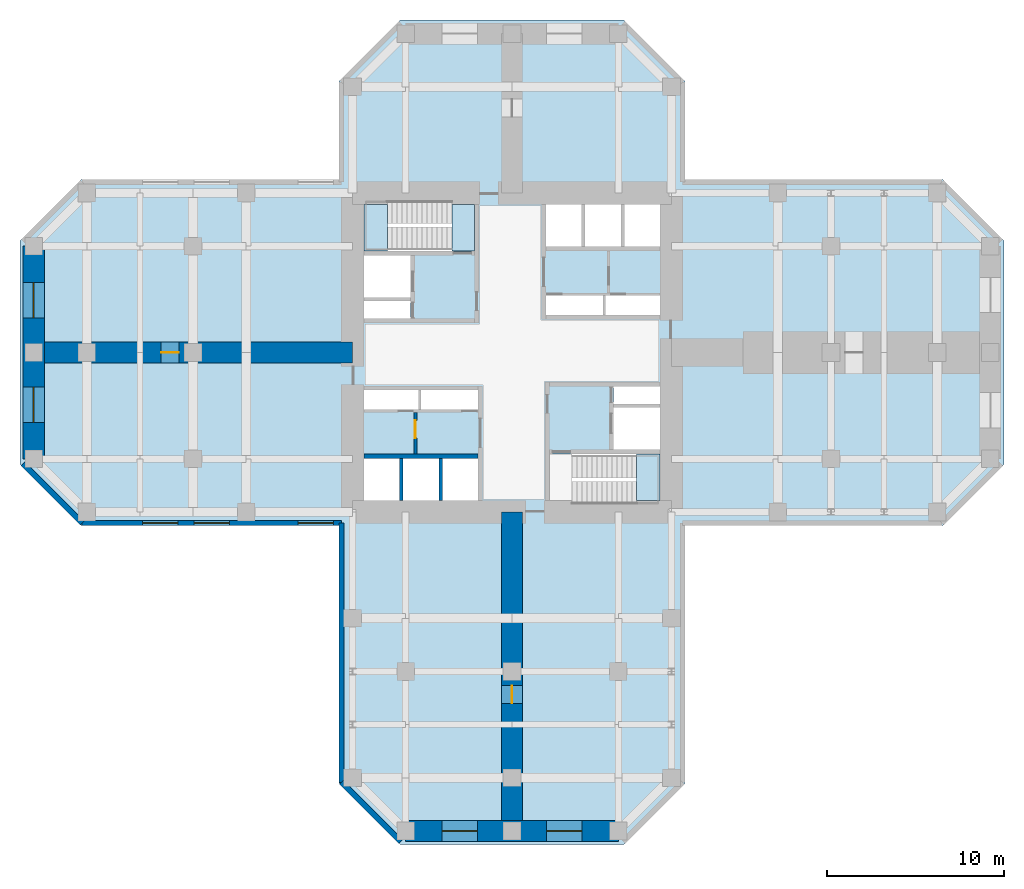
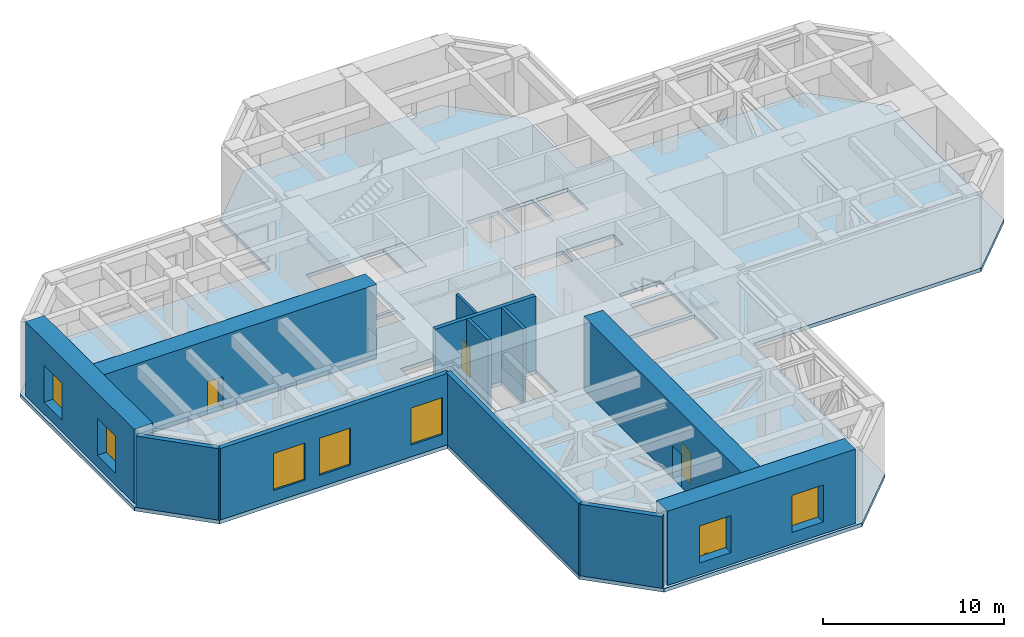
# One storey, part 5 of 8: 12 walls, 7 windows, 4 slabs, 3 doors, 10 openings, 2 elements without a shape of their own.
"""IFC4 building model written with IfcOpenShell, lengths in metres."""

import ifcopenshell
import ifcopenshell.guid

model = None  # the IFC model being written
_history = None  # IfcOwnerHistory: only IFC2X3 demands one
_inside = {}  # id of a spatial element -> (the spatial element, [elements in it])
_under = {}  # id of a project, library or spatial element -> (it, [spatial elements below it])
_declared = {}  # id of a project -> (the project, [libraries it declares])
_typed = {}  # id of a type object -> (the type object, [elements of that type])
_made_of = {}  # id of a material, layer set ... -> (it, [elements and type objects made of it])


def new_model(schema):
    """Start an empty IFC model of exactly this schema.

    Asked for "IFC4X3", IfcOpenShell would pick the latest addendum, in which some entities
    have other attributes; the version numbers below select the first issue.
    IFC2X3 requires an IfcOwnerHistory on every rooted entity: one is made here for all.
    """
    global model, _history
    if schema == "IFC4X3":
        model = ifcopenshell.file(schema_version=(4, 3, 0, 0))
    else:
        model = ifcopenshell.file(schema=schema)
    _inside.clear()
    _under.clear()
    _declared.clear()
    _typed.clear()
    _made_of.clear()
    _history = None
    if model.schema == "IFC2X3":
        org = make("IfcOrganization", Name="unknown")
        user = make(
            "IfcPersonAndOrganization",
            ThePerson=make("IfcPerson", FamilyName="unknown"),
            TheOrganization=org,
        )
        app = make(
            "IfcApplication",
            ApplicationDeveloper=org,
            Version="unknown",
            ApplicationFullName="unknown",
            ApplicationIdentifier="unknown",
        )
        _history = make(
            "IfcOwnerHistory",
            OwningUser=user,
            OwningApplication=app,
            ChangeAction="ADDED",
            CreationDate=0,
        )
    return model


def make(cls, **values):
    """One entity of the class cls with the attributes given. An attribute that is None is left unset."""
    return model.create_entity(
        cls, **{name: value for name, value in values.items() if value is not None}
    )


def rooted(cls, **values):
    """An entity with a GlobalId (a new one), such as an element, a storey or a relation."""
    return make(cls, GlobalId=ifcopenshell.guid.new(), OwnerHistory=_history, **values)


def si_unit(unit_type, name, prefix=None):
    """IfcSIUnit, for example si_unit("LENGTHUNIT", "METRE", prefix="MILLI")."""
    return make("IfcSIUnit", UnitType=unit_type, Prefix=prefix, Name=name)


def assignment(units):
    """IfcUnitAssignment: the units of a project."""
    return None if units is None else make("IfcUnitAssignment", Units=units)


def point(xyz):
    """IfcCartesianPoint."""
    return None if xyz is None else make("IfcCartesianPoint", Coordinates=xyz)


def direction(xyz):
    """IfcDirection."""
    return None if xyz is None else make("IfcDirection", DirectionRatios=xyz)


def frame(location, z_axis=None, x_axis=None):
    """IfcAxis2Placement3D, a coordinate frame: its origin and axes. An axis left out is left unset."""
    return make(
        "IfcAxis2Placement3D",
        Location=point(location),
        Axis=direction(z_axis),
        RefDirection=direction(x_axis),
    )


def frame_2d(location, x_axis=None):
    """IfcAxis2Placement2D, a coordinate frame in the plane: its origin and x axis."""
    return make(
        "IfcAxis2Placement2D", Location=point(location), RefDirection=direction(x_axis)
    )


def origin():
    """The frame at (0, 0, 0) with its axes left unset."""
    return frame((0.0, 0.0, 0.0))


def place(relative_to, where):
    """IfcLocalPlacement: puts the frame where relative to a parent placement (None: the world)."""
    return make(
        "IfcLocalPlacement", PlacementRelTo=relative_to, RelativePlacement=where
    )


def context(
    kind, dimensions, precision=None, world=None, true_north=None, identifier=None
):
    """IfcGeometricRepresentationContext, for example the 3D "Model" context."""
    return make(
        "IfcGeometricRepresentationContext",
        ContextIdentifier=identifier,
        ContextType=kind,
        CoordinateSpaceDimension=dimensions,
        Precision=precision,
        WorldCoordinateSystem=world,
        TrueNorth=true_north,
    )


def subcontext(parent, identifier, kind, view, scale=None):
    """IfcGeometricRepresentationSubContext, for example "Body" below "Model"."""
    return make(
        "IfcGeometricRepresentationSubContext",
        ContextIdentifier=identifier,
        ContextType=kind,
        ParentContext=parent,
        TargetScale=scale,
        TargetView=view,
    )


def project(units=None, contexts=None):
    """IfcProject with its units and contexts."""
    return rooted(
        "IfcProject",
        Name="project",
        RepresentationContexts=contexts,
        UnitsInContext=assignment(units),
    )


def spatial(cls, under=None, at=None, **own):
    """A site, building, storey or space (cls), placed at a placement, below another one or the project."""
    s = rooted(cls, ObjectPlacement=at, **own)
    if under is not None:
        _under.setdefault(under.id(), (under, []))[1].append(s)
    return s


def polyline(points):
    """IfcPolyline through the points."""
    return make("IfcPolyline", Points=[point(p) for p in points])


def profile(cls, at=None, kind="AREA", **sizes):
    """A parametric profile (cls). Its sizes go by their IFC names, for example OverallWidth=200.0."""
    return make(cls, ProfileType=kind, Position=at, **sizes)


def rectangle(**sizes):
    """IfcRectangleProfileDef."""
    return profile("IfcRectangleProfileDef", **sizes)


def hollow_rectangle(**sizes):
    """IfcRectangleHollowProfileDef."""
    return profile("IfcRectangleHollowProfileDef", **sizes)


def outline(outer, holes=None, kind="AREA"):
    """IfcArbitraryClosedProfileDef: a profile drawn as a closed curve; with holes, ...WithVoids."""
    if holes is None:
        return make("IfcArbitraryClosedProfileDef", ProfileType=kind, OuterCurve=outer)
    return make(
        "IfcArbitraryProfileDefWithVoids",
        ProfileType=kind,
        OuterCurve=outer,
        InnerCurves=holes,
    )


def extrude(swept, where, along, depth):
    """IfcExtrudedAreaSolid: the profile swept, set in the frame where, extruded along a direction by depth."""
    return make(
        "IfcExtrudedAreaSolid",
        SweptArea=swept,
        Position=where,
        ExtrudedDirection=direction(along),
        Depth=depth,
    )


def shape(context_of_items, identifier, shape_type, items):
    """IfcShapeRepresentation: the items that make up one representation, for example the "Body"."""
    return make(
        "IfcShapeRepresentation",
        ContextOfItems=context_of_items,
        RepresentationIdentifier=identifier,
        RepresentationType=shape_type,
        Items=items,
    )


def material(Name=None, Category=None):
    """IfcMaterial."""
    return make("IfcMaterial", Name=Name, Category=Category)


def layer(
    of_material, thickness, ventilated=None, Name=None, Category=None, Priority=None
):
    """IfcMaterialLayer: one layer of a wall or slab, of a material (None: an air gap)."""
    return make(
        "IfcMaterialLayer",
        Material=of_material,
        LayerThickness=thickness,
        IsVentilated=ventilated,
        Name=Name,
        Category=Category,
        Priority=Priority,
    )


def layer_set(layers, Name=None):
    """IfcMaterialLayerSet."""
    return make("IfcMaterialLayerSet", MaterialLayers=layers, LayerSetName=Name)


def constituent(of_material, Name=None, Category=None, fraction=None):
    """IfcMaterialConstituent: one of the materials an element consists of."""
    return make(
        "IfcMaterialConstituent",
        Name=Name,
        Material=of_material,
        Fraction=fraction,
        Category=Category,
    )


def constituent_set(constituents=None, Name=None):
    """IfcMaterialConstituentSet."""
    return make(
        "IfcMaterialConstituentSet", Name=Name, MaterialConstituents=constituents
    )


def made_of(thing, what):
    """Note that an element or type object is made of a material, layer set ...; save() writes the relation."""
    if what is not None:
        _made_of.setdefault(what.id(), (what, []))[1].append(thing)
    return thing


def type_object(cls, material=None, **own):
    """A type object (cls), such as IfcWallType, which elements share."""
    return made_of(rooted(cls, **own), material)


def element(
    cls,
    number,
    at=None,
    inside=None,
    cuts=None,
    type_object=None,
    material=None,
    context=None,
    identifier="Body",
    shape_type=None,
    held_by="IfcProductDefinitionShape",
    body=None,
    shapes=None,
    **own,
):
    """One element of the class cls, such as IfcWall. Its Tag is "e" and its number.

    at: its placement. inside: the storey or other place that contains it. cuts: it is an
    opening in that element (IfcRelVoidsElement). A single representation is given by context,
    identifier, shape_type and body (its items); several are given by shapes. held_by: the class
    of the entity that holds the representations. save() writes the other relations.
    """
    e = rooted(cls, Tag="e%d" % number, ObjectPlacement=at, **own)
    if body is not None:
        shapes = [shape(context, identifier, shape_type, body)]
    if shapes is not None:
        e.Representation = make(held_by, Representations=shapes)
    if inside is not None:
        _inside.setdefault(inside.id(), (inside, []))[1].append(e)
    if cuts is not None:
        rooted(
            "IfcRelVoidsElement", RelatingBuildingElement=cuts, RelatedOpeningElement=e
        )
    if type_object is not None:
        _typed.setdefault(type_object.id(), (type_object, []))[1].append(e)
    return made_of(e, material)


def fill(opening, filler):
    """IfcRelFillsElement: the door or window that sits in an opening."""
    return rooted(
        "IfcRelFillsElement",
        RelatingOpeningElement=opening,
        RelatedBuildingElement=filler,
    )


def aggregate(whole, parts):
    """IfcRelAggregates: a whole, such as a stair, and the parts it consists of."""
    return rooted("IfcRelAggregates", RelatingObject=whole, RelatedObjects=parts)


def save(model, path):
    """Write the relations noted so far, then the file.

    IfcRelAggregates (storeys below a building ...), IfcRelContainedInSpatialStructure (elements
    in a storey), IfcRelDefinesByType, IfcRelAssociatesMaterial and IfcRelDeclares: one each for
    every whole, place, type object, material and project.
    """
    for whole, parts in _under.values():
        aggregate(whole, parts)
    for where, things in _inside.values():
        rooted(
            "IfcRelContainedInSpatialStructure",
            RelatedElements=things,
            RelatingStructure=where,
        )
    for kind, things in _typed.values():
        rooted("IfcRelDefinesByType", RelatedObjects=things, RelatingType=kind)
    for what, things in _made_of.values():
        rooted("IfcRelAssociatesMaterial", RelatedObjects=things, RelatingMaterial=what)
    for by, libraries in _declared.values():
        rooted("IfcRelDeclares", RelatingContext=by, RelatedDefinitions=libraries)
    model.write(path)


model = new_model("IFC4")

# Units and contexts
model_context = context("Model", 3, precision=1e-05, world=origin(), true_north=direction((0.0, 1.0)))
body_context = subcontext(model_context, "Body", "Model", "MODEL_VIEW")
ifc_project = project(units=[si_unit("LENGTHUNIT", "METRE"), si_unit("AREAUNIT", "SQUARE_METRE"), si_unit("VOLUMEUNIT", "CUBIC_METRE"), si_unit("PLANEANGLEUNIT", "RADIAN"), si_unit("MASSUNIT", "GRAM", prefix="KILO")], contexts=[model_context])

# Site, building, storey
site_placement = place(None, origin())
site = spatial("IfcSite", under=ifc_project, at=site_placement, CompositionType="ELEMENT")
building_placement = place(site_placement, origin())
building = spatial("IfcBuilding", under=site, at=building_placement, Name="Torre Cruceta", CompositionType="ELEMENT")
storey_placement = place(building_placement, frame((0.0, 0.0, 164.5)))
storey = spatial("IfcBuildingStorey", under=building, at=storey_placement, Name="L40", CompositionType="ELEMENT", Elevation=164.5)

# Slab
ifc_material_1 = material(Name="Concrete G35 (fck 35 MPa)", Category="concrete")
ifc_layer_1 = layer(ifc_material_1, 0.25)
ifc_layer_set_1 = layer_set([ifc_layer_1], Name="Concrete G35 (fck 35 MPa)")
slab_type_1 = type_object("IfcSlabType", Name="FLOOR SLAB 250", PredefinedType="FLOOR", material=ifc_layer_set_1)
slab_1_placement = place(storey_placement, frame((0.0, 0.0, -0.25)))
element("IfcSlab", 1, at=slab_1_placement, inside=storey, type_object=slab_type_1, Name="Floor Slab L40", PredefinedType="FLOOR", context=body_context, shape_type="SweptSolid", body=[
    extrude(outline(polyline([(9.77001953125, -9.77001953125), (9.77001953125, -24.31884765625), (6.31884765625, -27.77001953125), (-6.31884765625, -27.77001953125), (-9.77001953125, -24.31884765625), (-9.77001953125, -9.77001953125), (-24.31884765625, -9.77001953125), (-27.77001953125, -6.31884765625), (-27.77001953125, 6.31884765625), (-24.31884765625, 9.77001953125), (-9.77001953125, 9.77001953125), (-9.77001953125, 15.31884765625), (-6.31884765625, 18.77001953125), (6.31884765625, 18.77001953125), (9.77001953125, 15.31884765625), (9.77001953125, 9.77001953125), (24.31884765625, 9.77001953125), (27.77001953125, 6.31884765625), (27.77001953125, -6.31884765625), (24.31884765625, -9.77001953125), (9.77001953125, -9.77001953125)]), holes=[polyline([(1.925048828125, 5.97509765625), (3.933349609375, 5.97509765625), (3.933349609375, 8.35009765625), (1.925048828125, 8.35009765625), (1.925048828125, 5.97509765625)]), polyline([(4.13330078125, 5.97509765625), (6.1416015625, 5.97509765625), (6.1416015625, 8.35009765625), (4.13330078125, 8.35009765625), (4.13330078125, 5.97509765625)]), polyline([(6.341552734375, 5.97509765625), (8.35009765625, 5.97509765625), (8.35009765625, 8.35009765625), (6.341552734375, 8.35009765625), (6.341552734375, 5.97509765625)]), polyline([(1.925048828125, 2.125), (5.125, 2.125), (5.125, 3.22509765625), (1.925048828125, 3.22509765625), (1.925048828125, 2.125)]), polyline([(5.27490234375, 2.125), (8.35009765625, 2.125), (8.35009765625, 3.22509765625), (5.27490234375, 3.22509765625), (5.27490234375, 2.125)]), polyline([(-8.35009765625, 3.10009765625), (-5.72509765625, 3.10009765625), (-5.72509765625, 5.47509765625), (-8.35009765625, 5.47509765625), (-8.35009765625, 3.10009765625)]), polyline([(-8.35009765625, 1.925048828125), (-5.72509765625, 1.925048828125), (-5.72509765625, 2.89990234375), (-8.35009765625, 2.89990234375), (-8.35009765625, 1.925048828125)]), polyline([(-3.933349609375, -8.35009765625), (-1.925048828125, -8.35009765625), (-1.925048828125, -5.97509765625), (-3.933349609375, -5.97509765625), (-3.933349609375, -8.35009765625)]), polyline([(-6.1416015625, -8.35009765625), (-4.13330078125, -8.35009765625), (-4.13330078125, -5.97509765625), (-6.1416015625, -5.97509765625), (-6.1416015625, -8.35009765625)]), polyline([(-8.35009765625, -8.35009765625), (-6.341552734375, -8.35009765625), (-6.341552734375, -5.97509765625), (-8.35009765625, -5.97509765625), (-8.35009765625, -8.35009765625)]), polyline([(-5.125, -3.22509765625), (-1.925048828125, -3.22509765625), (-1.925048828125, -2.125), (-5.125, -2.125), (-5.125, -3.22509765625)]), polyline([(-8.35009765625, -3.22509765625), (-5.27490234375, -3.22509765625), (-5.27490234375, -2.125), (-8.35009765625, -2.125), (-8.35009765625, -3.22509765625)]), polyline([(5.72509765625, -5.47509765625), (8.35009765625, -5.47509765625), (8.35009765625, -3.10009765625), (5.72509765625, -3.10009765625), (5.72509765625, -5.47509765625)]), polyline([(5.72509765625, -2.89990234375), (8.35009765625, -2.89990234375), (8.35009765625, -1.925048828125), (5.72509765625, -1.925048828125), (5.72509765625, -2.89990234375)]), polyline([(-8.35009765625, 5.72509765625), (-8.35009765625, 8.35009765625), (-3.39990234375, 8.35009765625), (-2.125, 8.35009765625), (-2.125, 5.72509765625), (-3.39990234375, 5.72509765625), (-8.35009765625, 5.72509765625)]), polyline([(2.125, -5.72509765625), (3.39990234375, -5.72509765625), (8.35009765625, -5.72509765625), (8.35009765625, -8.35009765625), (3.39990234375, -8.35009765625), (2.125, -8.35009765625), (2.125, -5.72509765625)])]), origin(), (0.0, 0.0, 1.0), 0.25),
])

# Stair, slab
ifc_material_2 = material(Name="Concrete G30 (fck 30 MPa)", Category="concrete")
stair_type = type_object("IfcStairType", Name="STAIR HALF-TURN 1300", PredefinedType="HALF_TURN_STAIR", material=ifc_material_2)
stair_1_placement = place(storey_placement, origin())
stair_1 = element("IfcStair", 2, at=stair_1_placement, inside=storey, type_object=stair_type, Name="Stair ST1 L40", PredefinedType="HALF_TURN_STAIR")
ifc_material_3 = material(Name="Concrete G30 (fck 30 MPa)", Category="concrete")
ifc_layer_2 = layer(ifc_material_3, 0.199951171875)
ifc_layer_set_2 = layer_set([ifc_layer_2], Name="Concrete G30 (fck 30 MPa)")
slab_type_2 = type_object("IfcSlabType", Name="STAIR LANDING 200", PredefinedType="LANDING", material=ifc_layer_set_2)
slab_2_placement = place(storey_placement, frame((0.0, 0.0, 2.300048828125)))
slab_2 = element("IfcSlab", 3, at=slab_2_placement, type_object=slab_type_2, Name="ST1 landing 1", PredefinedType="LANDING", context=body_context, shape_type="SweptSolid", body=[
    extrude(outline(polyline([(-8.35009765625, 5.72509765625), (-7.0400390625, 5.72509765625), (-7.0400390625, 8.35009765625), (-8.35009765625, 8.35009765625), (-8.35009765625, 5.72509765625)])), origin(), (0.0, 0.0, 1.0), 0.199951171875),
])
aggregate(stair_1, [slab_2])

stair_2_placement = place(storey_placement, origin())
stair_2 = element("IfcStair", 4, at=stair_2_placement, inside=storey, type_object=stair_type, Name="Stair ST2 L40", PredefinedType="HALF_TURN_STAIR")
slab_3_placement = place(storey_placement, frame((0.0, 0.0, 2.300048828125)))
slab_3 = element("IfcSlab", 5, at=slab_3_placement, type_object=slab_type_2, Name="ST2 landing 1", PredefinedType="LANDING", context=body_context, shape_type="SweptSolid", body=[
    extrude(outline(polyline([(7.0400390625, -8.35009765625), (8.35009765625, -8.35009765625), (8.35009765625, -5.72509765625), (7.0400390625, -5.72509765625), (7.0400390625, -8.35009765625)])), origin(), (0.0, 0.0, 1.0), 0.199951171875),
])
aggregate(stair_2, [slab_3])

# Slab
slab_4_placement = place(storey_placement, frame((0.0, 0.0, -0.199951171875)))
element("IfcSlab", 6, at=slab_4_placement, inside=storey, type_object=slab_type_2, Name="Stair ST1 floor landing L40", PredefinedType="LANDING", context=body_context, shape_type="SweptSolid", body=[
    extrude(outline(polyline([(-2.125, 8.35009765625), (-2.125, 5.72509765625), (-3.39990234375, 5.72509765625), (-3.39990234375, 8.35009765625), (-2.125, 8.35009765625)])), origin(), (0.0, 0.0, 1.0), 0.199951171875),
])

# Walls
ifc_material_4 = material(Name="Concrete G60 (fck 60 MPa)", Category="concrete")
ifc_layer_3 = layer(ifc_material_4, 0.25)
ifc_layer_set_3 = layer_set([ifc_layer_3], Name="Concrete G60 (fck 60 MPa)")
wall_type_1 = type_object("IfcWallType", Name="CORE INNER WALL 250 G60", PredefinedType="SHEAR", material=ifc_layer_set_3)
wall_1_placement = place(storey_placement, frame((-1.925048828125, -5.85009765625, 0.0), z_axis=(0.0, 0.0, 1.0), x_axis=(-1.0, 0.0, 0.0)))
element("IfcWall", 7, at=wall_1_placement, inside=storey, type_object=wall_type_1, Name="CW4 L40 SW-LV", PredefinedType="SHEAR", context=body_context, shape_type="SweptSolid", body=[
    extrude(rectangle(XDim=6.425048828125, YDim=0.25, at=frame_2d((3.21240234375, 0.0))), origin(), (0.0, 0.0, 1.0), 5.0),
])
ifc_material_5 = material(Name="Concrete G30 (fck 30 MPa)", Category="concrete")
ifc_layer_4 = layer(ifc_material_5, 0.300048828125)
ifc_layer_set_4 = layer_set([ifc_layer_4], Name="Concrete G30 (fck 30 MPa)")
wall_type_2 = type_object("IfcWallType", Name="EXPOSED CONCRETE FACADE WALL 300", PredefinedType="SOLIDWALL", material=ifc_layer_set_4)
wall_2_placement = place(storey_placement, frame((-27.60009765625, -6.27685546875, 0.0), z_axis=(0.0, 0.0, 1.0), x_axis=(0.707106781187, -0.707106781187, 0.0)))
element("IfcWall", 8, at=wall_2_placement, inside=storey, type_object=wall_type_2, Name="EW1 facade wall L40 W chamfer 13", PredefinedType="SOLIDWALL", context=body_context, shape_type="SweptSolid", body=[
    extrude(rectangle(XDim=4.72802734375, YDim=0.300048828125, at=frame_2d((2.364013671875, 0.0))), origin(), (0.0, 0.0, 1.0), 4.820068359375),
])

# Wall, openings, windows
wall_3_placement = place(storey_placement, frame((-24.2568359375, -9.6201171875, 0.0), z_axis=(0.0, 0.0, 1.0), x_axis=(1.0, 0.0, 0.0)))
wall_3 = element("IfcWall", 9, at=wall_3_placement, inside=storey, type_object=wall_type_2, Name="EW1 facade wall L40 W side 14", PredefinedType="SOLIDWALL", context=body_context, shape_type="SweptSolid", body=[
    extrude(rectangle(XDim=14.63671875, YDim=0.300048828125, at=frame_2d((7.318359375, 0.0))), origin(), (0.0, 0.0, 1.0), 4.820068359375),
])
opening_1_placement = place(wall_3_placement, frame((3.39111328125, 0.0, 0.800048828125)))
opening_1 = element("IfcOpeningElement", 10, at=opening_1_placement, cuts=wall_3, Name="Opening WN3", PredefinedType="OPENING", context=body_context, shape_type="SweptSolid", body=[
    extrude(rectangle(XDim=2.0, YDim=2.5, at=frame_2d((1.0, 1.25))), frame((0.0, 0.159912109375, 0.0), z_axis=(0.0, -1.0, 0.0), x_axis=(1.0, 0.0, 0.0)), (0.0, 0.0, 1.0), 0.320068359375),
])
opening_2_placement = place(wall_3_placement, frame((6.318359375, 0.0, 0.800048828125)))
opening_2 = element("IfcOpeningElement", 11, at=opening_2_placement, cuts=wall_3, Name="Opening WN3", PredefinedType="OPENING", context=body_context, shape_type="SweptSolid", body=[
    extrude(rectangle(XDim=2.0, YDim=2.5, at=frame_2d((1.0, 1.25))), frame((0.0, 0.159912109375, 0.0), z_axis=(0.0, -1.0, 0.0), x_axis=(1.0, 0.0, 0.0)), (0.0, 0.0, 1.0), 0.320068359375),
])
opening_3_placement = place(wall_3_placement, frame((12.173095703125, 0.0, 0.800048828125)))
opening_3 = element("IfcOpeningElement", 12, at=opening_3_placement, cuts=wall_3, Name="Opening WN3", PredefinedType="OPENING", context=body_context, shape_type="SweptSolid", body=[
    extrude(rectangle(XDim=2.0, YDim=2.5, at=frame_2d((1.0, 1.25))), frame((0.0, 0.159912109375, 0.0), z_axis=(0.0, -1.0, 0.0), x_axis=(1.0, 0.0, 0.0)), (0.0, 0.0, 1.0), 0.320068359375),
])
ifc_material_6 = material(Name="Aluminium window frame", Category="aluminium")
ifc_constituent_1 = constituent(ifc_material_6, Name="Frame")
ifc_material_7 = material(Name="Laminated insulating glass unit, low-iron clear", Category="glass")
ifc_constituent_2 = constituent(ifc_material_7, Name="Glazing")
ifc_constituent_set_1 = constituent_set(constituents=[ifc_constituent_1, ifc_constituent_2], Name="Aluminium window")
window_type = type_object("IfcWindowType", Name="PLANT LOUVRE 2000X2500", PartitioningType="SINGLE_PANEL", PredefinedType="WINDOW", material=ifc_constituent_set_1)
window_1_placement = place(opening_1_placement, origin())
window_1 = element("IfcWindow", 13, at=window_1_placement, inside=storey, type_object=window_type, Name="WN3 L40 W 2", OverallHeight=2.5, OverallWidth=2.0, PartitioningType="SINGLE_PANEL", PredefinedType="WINDOW", context=body_context, shape_type="SweptSolid", body=[
    extrude(hollow_rectangle(XDim=2.0, YDim=2.5, WallThickness=0.06005859375, at=frame_2d((1.0, 1.25))), frame((0.0, 0.030029296875, 0.0), z_axis=(0.0, -1.0, 0.0), x_axis=(1.0, 0.0, 0.0)), (0.0, 0.0, 1.0), 0.06005859375),
    extrude(rectangle(XDim=1.87890625, YDim=2.37890625, at=frame_2d((1.0, 1.25))), frame((0.0, 0.030029296875, 0.0), z_axis=(0.0, -1.0, 0.0), x_axis=(1.0, 0.0, 0.0)), (0.0, 0.0, 1.0), 0.06005859375),
])
fill(opening_1, window_1)
window_2_placement = place(opening_2_placement, origin())
window_2 = element("IfcWindow", 14, at=window_2_placement, inside=storey, type_object=window_type, Name="WN3 L40 W 3", OverallHeight=2.5, OverallWidth=2.0, PartitioningType="SINGLE_PANEL", PredefinedType="WINDOW", context=body_context, shape_type="SweptSolid", body=[
    extrude(hollow_rectangle(XDim=2.0, YDim=2.5, WallThickness=0.06005859375, at=frame_2d((1.0, 1.25))), frame((0.0, 0.030029296875, 0.0), z_axis=(0.0, -1.0, 0.0), x_axis=(1.0, 0.0, 0.0)), (0.0, 0.0, 1.0), 0.06005859375),
    extrude(rectangle(XDim=1.87890625, YDim=2.37890625, at=frame_2d((1.0, 1.25))), frame((0.0, 0.030029296875, 0.0), z_axis=(0.0, -1.0, 0.0), x_axis=(1.0, 0.0, 0.0)), (0.0, 0.0, 1.0), 0.06005859375),
])
fill(opening_2, window_2)
window_3_placement = place(opening_3_placement, origin())
window_3 = element("IfcWindow", 15, at=window_3_placement, inside=storey, type_object=window_type, Name="WN3 L40 W 5", OverallHeight=2.5, OverallWidth=2.0, PartitioningType="SINGLE_PANEL", PredefinedType="WINDOW", context=body_context, shape_type="SweptSolid", body=[
    extrude(hollow_rectangle(XDim=2.0, YDim=2.5, WallThickness=0.06005859375, at=frame_2d((1.0, 1.25))), frame((0.0, 0.030029296875, 0.0), z_axis=(0.0, -1.0, 0.0), x_axis=(1.0, 0.0, 0.0)), (0.0, 0.0, 1.0), 0.06005859375),
    extrude(rectangle(XDim=1.87890625, YDim=2.37890625, at=frame_2d((1.0, 1.25))), frame((0.0, 0.030029296875, 0.0), z_axis=(0.0, -1.0, 0.0), x_axis=(1.0, 0.0, 0.0)), (0.0, 0.0, 1.0), 0.06005859375),
])
fill(opening_3, window_3)

# Walls
wall_4_placement = place(storey_placement, frame((-9.6201171875, -9.6201171875, 0.0), z_axis=(0.0, 0.0, 1.0), x_axis=(0.0, -1.0, 0.0)))
element("IfcWall", 16, at=wall_4_placement, inside=storey, type_object=wall_type_2, Name="EW1 facade wall L40 S side 15", PredefinedType="SOLIDWALL", context=body_context, shape_type="SweptSolid", body=[
    extrude(rectangle(XDim=14.63671875, YDim=0.300048828125, at=frame_2d((7.318359375, 0.0))), origin(), (0.0, 0.0, 1.0), 4.820068359375),
])
wall_5_placement = place(storey_placement, frame((-9.6201171875, -24.2568359375, 0.0), z_axis=(0.0, 0.0, 1.0), x_axis=(0.707106781187, -0.707106781187, 0.0)))
element("IfcWall", 17, at=wall_5_placement, inside=storey, type_object=wall_type_2, Name="EW1 facade wall L40 S chamfer 16", PredefinedType="SOLIDWALL", context=body_context, shape_type="SweptSolid", body=[
    extrude(rectangle(XDim=4.72802734375, YDim=0.300048828125, at=frame_2d((2.364013671875, 0.0))), origin(), (0.0, 0.0, 1.0), 4.820068359375),
])
ifc_material_8 = material(Name="Concrete G35 (fck 35 MPa)", Category="concrete")
ifc_layer_5 = layer(ifc_material_8, 0.199951171875)
ifc_layer_set_5 = layer_set([ifc_layer_5], Name="Concrete G35 (fck 35 MPa)")
wall_type_3 = type_object("IfcWallType", Name="LIFT SHAFT WALL 200", PredefinedType="PARTITIONING", material=ifc_layer_set_5)
for number, where, z_axis, x_axis, name in (
    (18, (-4.033447265625, -5.97509765625, 0.0), (0.0, 0.0, 1.0), (0.0, -1.0, 0.0), "SW1 L40 SW-LS1"),
    (19, (-6.24169921875, -5.97509765625, 0.0), (0.0, 0.0, 1.0), (0.0, -1.0, 0.0), "SW1 L40 SW-LS2"),
):
    element("IfcWall", number, at=place(storey_placement, frame(where, z_axis=z_axis, x_axis=x_axis)), inside=storey, type_object=wall_type_3, Name=name, PredefinedType="PARTITIONING", context=body_context, shape_type="SweptSolid", body=[
        extrude(rectangle(XDim=2.375, YDim=0.199951171875, at=frame_2d((1.1875, 0.0))), origin(), (0.0, 0.0, 1.0), 5.0),
    ])

# Wall, openings, windows
ifc_material_9 = material(Name="Concrete G60 (fck 60 MPa)", Category="concrete")
ifc_layer_6 = layer(ifc_material_9, 1.199951171875)
ifc_layer_set_6 = layer_set([ifc_layer_6], Name="Concrete G60 (fck 60 MPa)")
wall_type_4 = type_object("IfcWallType", Name="NOSE WALL 1200 G60", PredefinedType="SHEAR", material=ifc_layer_set_6)
wall_6_placement = place(storey_placement, frame((-6.0, -27.0, 0.0), z_axis=(0.0, 0.0, 1.0), x_axis=(1.0, 0.0, 0.0)))
wall_6 = element("IfcWall", 20, at=wall_6_placement, inside=storey, type_object=wall_type_4, Name="NW1 nose wall L40 S", PredefinedType="SHEAR", context=body_context, shape_type="SweptSolid", body=[
    extrude(rectangle(XDim=12.0, YDim=1.199951171875, at=frame_2d((6.0, 0.0))), origin(), (0.0, 0.0, 1.0), 5.0),
])
opening_4_placement = place(wall_6_placement, frame((2.050048828125, 0.0, 0.800048828125)))
opening_4 = element("IfcOpeningElement", 21, at=opening_4_placement, cuts=wall_6, Name="Opening WN3", PredefinedType="OPENING", context=body_context, shape_type="SweptSolid", body=[
    extrude(rectangle(XDim=2.0, YDim=2.5, at=frame_2d((1.0, 1.25))), frame((0.0, 0.60986328125, 0.0), z_axis=(0.0, -1.0, 0.0), x_axis=(1.0, 0.0, 0.0)), (0.0, 0.0, 1.0), 1.219970703125),
])
opening_5_placement = place(wall_6_placement, frame((7.949951171875, 0.0, 0.800048828125)))
opening_5 = element("IfcOpeningElement", 22, at=opening_5_placement, cuts=wall_6, Name="Opening WN3", PredefinedType="OPENING", context=body_context, shape_type="SweptSolid", body=[
    extrude(rectangle(XDim=2.0, YDim=2.5, at=frame_2d((1.0, 1.25))), frame((0.0, 0.60986328125, 0.0), z_axis=(0.0, -1.0, 0.0), x_axis=(1.0, 0.0, 0.0)), (0.0, 0.0, 1.0), 1.219970703125),
])
window_4_placement = place(opening_4_placement, origin())
window_4 = element("IfcWindow", 23, at=window_4_placement, inside=storey, type_object=window_type, Name="WN3 L40 S 1", OverallHeight=2.5, OverallWidth=2.0, PartitioningType="SINGLE_PANEL", PredefinedType="WINDOW", context=body_context, shape_type="SweptSolid", body=[
    extrude(hollow_rectangle(XDim=2.0, YDim=2.5, WallThickness=0.06005859375, at=frame_2d((1.0, 1.25))), frame((0.0, 0.030029296875, 0.0), z_axis=(0.0, -1.0, 0.0), x_axis=(1.0, 0.0, 0.0)), (0.0, 0.0, 1.0), 0.06005859375),
    extrude(rectangle(XDim=1.87890625, YDim=2.37890625, at=frame_2d((1.0, 1.25))), frame((0.0, 0.030029296875, 0.0), z_axis=(0.0, -1.0, 0.0), x_axis=(1.0, 0.0, 0.0)), (0.0, 0.0, 1.0), 0.06005859375),
])
fill(opening_4, window_4)
window_5_placement = place(opening_5_placement, origin())
window_5 = element("IfcWindow", 24, at=window_5_placement, inside=storey, type_object=window_type, Name="WN3 L40 S 2", OverallHeight=2.5, OverallWidth=2.0, PartitioningType="SINGLE_PANEL", PredefinedType="WINDOW", context=body_context, shape_type="SweptSolid", body=[
    extrude(hollow_rectangle(XDim=2.0, YDim=2.5, WallThickness=0.06005859375, at=frame_2d((1.0, 1.25))), frame((0.0, 0.030029296875, 0.0), z_axis=(0.0, -1.0, 0.0), x_axis=(1.0, 0.0, 0.0)), (0.0, 0.0, 1.0), 0.06005859375),
    extrude(rectangle(XDim=1.87890625, YDim=2.37890625, at=frame_2d((1.0, 1.25))), frame((0.0, 0.030029296875, 0.0), z_axis=(0.0, -1.0, 0.0), x_axis=(1.0, 0.0, 0.0)), (0.0, 0.0, 1.0), 0.06005859375),
])
fill(opening_5, window_5)

wall_7_placement = place(storey_placement, frame((-27.0, 6.0, 0.0), z_axis=(0.0, 0.0, 1.0), x_axis=(0.0, -1.0, 0.0)))
wall_7 = element("IfcWall", 25, at=wall_7_placement, inside=storey, type_object=wall_type_4, Name="NW1 nose wall L40 W", PredefinedType="SHEAR", context=body_context, shape_type="SweptSolid", body=[
    extrude(rectangle(XDim=12.0, YDim=1.199951171875, at=frame_2d((6.0, 0.0))), origin(), (0.0, 0.0, 1.0), 5.0),
])
opening_6_placement = place(wall_7_placement, frame((2.050048828125, 0.0, 0.800048828125)))
opening_6 = element("IfcOpeningElement", 26, at=opening_6_placement, cuts=wall_7, Name="Opening WN3", PredefinedType="OPENING", context=body_context, shape_type="SweptSolid", body=[
    extrude(rectangle(XDim=2.0, YDim=2.5, at=frame_2d((1.0, 1.25))), frame((0.0, 0.60986328125, 0.0), z_axis=(0.0, -1.0, 0.0), x_axis=(1.0, 0.0, 0.0)), (0.0, 0.0, 1.0), 1.219970703125),
])
opening_7_placement = place(wall_7_placement, frame((7.949951171875, 0.0, 0.800048828125)))
opening_7 = element("IfcOpeningElement", 27, at=opening_7_placement, cuts=wall_7, Name="Opening WN3", PredefinedType="OPENING", context=body_context, shape_type="SweptSolid", body=[
    extrude(rectangle(XDim=2.0, YDim=2.5, at=frame_2d((1.0, 1.25))), frame((0.0, 0.60986328125, 0.0), z_axis=(0.0, -1.0, 0.0), x_axis=(1.0, 0.0, 0.0)), (0.0, 0.0, 1.0), 1.219970703125),
])
window_6_placement = place(opening_6_placement, origin())
window_6 = element("IfcWindow", 28, at=window_6_placement, inside=storey, type_object=window_type, Name="WN3 L40 W 1", OverallHeight=2.5, OverallWidth=2.0, PartitioningType="SINGLE_PANEL", PredefinedType="WINDOW", context=body_context, shape_type="SweptSolid", body=[
    extrude(hollow_rectangle(XDim=2.0, YDim=2.5, WallThickness=0.06005859375, at=frame_2d((1.0, 1.25))), frame((0.0, 0.030029296875, 0.0), z_axis=(0.0, -1.0, 0.0), x_axis=(1.0, 0.0, 0.0)), (0.0, 0.0, 1.0), 0.06005859375),
    extrude(rectangle(XDim=1.87890625, YDim=2.37890625, at=frame_2d((1.0, 1.25))), frame((0.0, 0.030029296875, 0.0), z_axis=(0.0, -1.0, 0.0), x_axis=(1.0, 0.0, 0.0)), (0.0, 0.0, 1.0), 0.06005859375),
])
fill(opening_6, window_6)
window_7_placement = place(opening_7_placement, origin())
window_7 = element("IfcWindow", 29, at=window_7_placement, inside=storey, type_object=window_type, Name="WN3 L40 W 2", OverallHeight=2.5, OverallWidth=2.0, PartitioningType="SINGLE_PANEL", PredefinedType="WINDOW", context=body_context, shape_type="SweptSolid", body=[
    extrude(hollow_rectangle(XDim=2.0, YDim=2.5, WallThickness=0.06005859375, at=frame_2d((1.0, 1.25))), frame((0.0, 0.030029296875, 0.0), z_axis=(0.0, -1.0, 0.0), x_axis=(1.0, 0.0, 0.0)), (0.0, 0.0, 1.0), 0.06005859375),
    extrude(rectangle(XDim=1.87890625, YDim=2.37890625, at=frame_2d((1.0, 1.25))), frame((0.0, 0.030029296875, 0.0), z_axis=(0.0, -1.0, 0.0), x_axis=(1.0, 0.0, 0.0)), (0.0, 0.0, 1.0), 0.06005859375),
])
fill(opening_7, window_7)

# Wall, opening, door
ifc_material_10 = material(Name="Plasterboard on steel studs", Category="steel")
ifc_layer_7 = layer(ifc_material_10, 0.14990234375)
ifc_layer_set_7 = layer_set([ifc_layer_7], Name="Plasterboard on steel studs")
wall_type_5 = type_object("IfcWallType", Name="PARTITION 150", PredefinedType="PARTITIONING", material=ifc_layer_set_7)
wall_8_placement = place(storey_placement, frame((-5.449951171875, -3.375, 0.0), z_axis=(0.0, 0.0, 1.0), x_axis=(0.0, -1.0, 0.0)))
wall_8 = element("IfcWall", 30, at=wall_8_placement, inside=storey, type_object=wall_type_5, Name="PT1 L40-CORE-SW-X", PredefinedType="PARTITIONING", context=body_context, shape_type="SweptSolid", body=[
    extrude(rectangle(XDim=2.35009765625, YDim=0.14990234375, at=frame_2d((1.175048828125, 0.0))), origin(), (0.0, 0.0, 1.0), 4.820068359375),
])
opening_8_placement = place(wall_8_placement, frame((0.449951171875, 0.0, 0.0)))
opening_8 = element("IfcOpeningElement", 31, at=opening_8_placement, cuts=wall_8, Name="Opening D3", PredefinedType="OPENING", context=body_context, shape_type="SweptSolid", body=[
    extrude(rectangle(XDim=1.0, YDim=2.10009765625, at=frame_2d((0.5, 1.050048828125))), frame((0.0, 0.0849609375, 0.0), z_axis=(0.0, -1.0, 0.0), x_axis=(1.0, 0.0, 0.0)), (0.0, 0.0, 1.0), 0.169921875),
])
ifc_material_11 = material(Name="Steel DX51D", Category="steel")
ifc_constituent_3 = constituent(ifc_material_11, Name="Leaf and frame")
ifc_material_12 = material(Name="Polyester powder coating", Category="paint")
ifc_constituent_4 = constituent(ifc_material_12, Name="Finish")
ifc_constituent_set_2 = constituent_set(constituents=[ifc_constituent_3, ifc_constituent_4], Name="Steel fire door")
door_type_1 = type_object("IfcDoorType", Name="FIRE DOOR 1000X2100", OperationType="SINGLE_SWING_LEFT", PredefinedType="DOOR", material=ifc_constituent_set_2)
door_1_placement = place(opening_8_placement, frame((1.0, 0.0, 0.0), z_axis=(0.0, 0.0, 1.0), x_axis=(-1.0, 0.0, 0.0)))
door_1 = element("IfcDoor", 32, at=door_1_placement, inside=storey, type_object=door_type_1, Name="D3 L40-CORE-SW-X-D1", OperationType="SINGLE_SWING_RIGHT", OverallHeight=2.10009765625, OverallWidth=1.0, PredefinedType="DOOR", context=body_context, shape_type="SweptSolid", body=[
    extrude(rectangle(XDim=1.0, YDim=2.10009765625, at=frame_2d((0.5, 1.050048828125))), frame((0.0, 0.025146484375, 0.0), z_axis=(0.0, -1.0, 0.0), x_axis=(1.0, 0.0, 0.0)), (0.0, 0.0, 1.0), 0.050048828125),
])
fill(opening_8, door_1)

ifc_material_13 = material(Name="Concrete G60 (fck 60 MPa)", Category="concrete")
ifc_layer_8 = layer(ifc_material_13, 1.199951171875)
ifc_layer_set_8 = layer_set([ifc_layer_8], Name="Concrete G60 (fck 60 MPa)")
wall_type_6 = type_object("IfcWallType", Name="SPINE WALL 1200 G60", PredefinedType="SHEAR", material=ifc_layer_set_8)
wall_9_placement = place(storey_placement, frame((0.0, -9.0, 0.0), z_axis=(0.0, 0.0, 1.0), x_axis=(0.0, -1.0, 0.0)))
wall_9 = element("IfcWall", 33, at=wall_9_placement, inside=storey, type_object=wall_type_6, Name="SW3 spine wall L40 S", PredefinedType="SHEAR", context=body_context, shape_type="SweptSolid", body=[
    extrude(rectangle(XDim=18.0, YDim=1.199951171875, at=frame_2d((9.0, 0.0))), origin(), (0.0, 0.0, 1.0), 5.0),
])
opening_9_placement = place(wall_9_placement, frame((9.800048828125, 0.0, 0.0)))
opening_9 = element("IfcOpeningElement", 34, at=opening_9_placement, cuts=wall_9, Name="Opening D14", PredefinedType="OPENING", context=body_context, shape_type="SweptSolid", body=[
    extrude(rectangle(XDim=1.0, YDim=2.199951171875, at=frame_2d((0.5, 1.10009765625))), frame((0.0, 0.60986328125, 0.0), z_axis=(0.0, -1.0, 0.0), x_axis=(1.0, 0.0, 0.0)), (0.0, 0.0, 1.0), 1.219970703125),
])
ifc_material_14 = material(Name="Steel DX51D", Category="steel")
ifc_constituent_5 = constituent(ifc_material_14, Name="Leaf and frame")
ifc_material_15 = material(Name="Polyester powder coating", Category="paint")
ifc_constituent_6 = constituent(ifc_material_15, Name="Finish")
ifc_material_16 = material(Name="Fire-resisting glass", Category="glass")
ifc_constituent_7 = constituent(ifc_material_16, Name="Vision panel")
ifc_constituent_set_3 = constituent_set(constituents=[ifc_constituent_5, ifc_constituent_6, ifc_constituent_7], Name="Steel fire door with vision panel")
door_type_2 = type_object("IfcDoorType", Name="FIRE DOOR VISION PANEL 1000X2200", OperationType="SINGLE_SWING_RIGHT", PredefinedType="DOOR", material=ifc_constituent_set_3)
door_2_placement = place(opening_9_placement, frame((1.0, 0.0, 0.0), z_axis=(0.0, 0.0, 1.0), x_axis=(-1.0, 0.0, 0.0)))
door_2 = element("IfcDoor", 35, at=door_2_placement, inside=storey, type_object=door_type_2, Name="D14 L40-S-SP1", OperationType="SINGLE_SWING_LEFT", OverallHeight=2.199951171875, OverallWidth=1.0, PredefinedType="DOOR", context=body_context, shape_type="SweptSolid", body=[
    extrude(rectangle(XDim=1.0, YDim=2.199951171875, at=frame_2d((0.5, 1.10009765625))), frame((0.0, 0.025146484375, 0.0), z_axis=(0.0, -1.0, 0.0), x_axis=(1.0, 0.0, 0.0)), (0.0, 0.0, 1.0), 0.050048828125),
])
fill(opening_9, door_2)

wall_10_placement = place(storey_placement, frame((-9.0, 0.0, 0.0), z_axis=(0.0, 0.0, 1.0), x_axis=(-1.0, 0.0, 0.0)))
wall_10 = element("IfcWall", 36, at=wall_10_placement, inside=storey, type_object=wall_type_6, Name="SW3 spine wall L40 W", PredefinedType="SHEAR", context=body_context, shape_type="SweptSolid", body=[
    extrude(rectangle(XDim=18.0, YDim=1.199951171875, at=frame_2d((9.0, 0.0))), origin(), (0.0, 0.0, 1.0), 5.0),
])
opening_10_placement = place(wall_10_placement, frame((9.800048828125, 0.0, 0.0)))
opening_10 = element("IfcOpeningElement", 37, at=opening_10_placement, cuts=wall_10, Name="Opening D14", PredefinedType="OPENING", context=body_context, shape_type="SweptSolid", body=[
    extrude(rectangle(XDim=1.0, YDim=2.199951171875, at=frame_2d((0.5, 1.10009765625))), frame((0.0, 0.60986328125, 0.0), z_axis=(0.0, -1.0, 0.0), x_axis=(1.0, 0.0, 0.0)), (0.0, 0.0, 1.0), 1.219970703125),
])
door_3_placement = place(opening_10_placement, frame((1.0, 0.0, 0.0), z_axis=(0.0, 0.0, 1.0), x_axis=(-1.0, 0.0, 0.0)))
door_3 = element("IfcDoor", 38, at=door_3_placement, inside=storey, type_object=door_type_2, Name="D14 L40-W-SP1", OperationType="SINGLE_SWING_LEFT", OverallHeight=2.199951171875, OverallWidth=1.0, PredefinedType="DOOR", context=body_context, shape_type="SweptSolid", body=[
    extrude(rectangle(XDim=1.0, YDim=2.199951171875, at=frame_2d((0.5, 1.10009765625))), frame((0.0, 0.025146484375, 0.0), z_axis=(0.0, -1.0, 0.0), x_axis=(1.0, 0.0, 0.0)), (0.0, 0.0, 1.0), 0.050048828125),
])
fill(opening_10, door_3)

save(model, "model.ifc")
